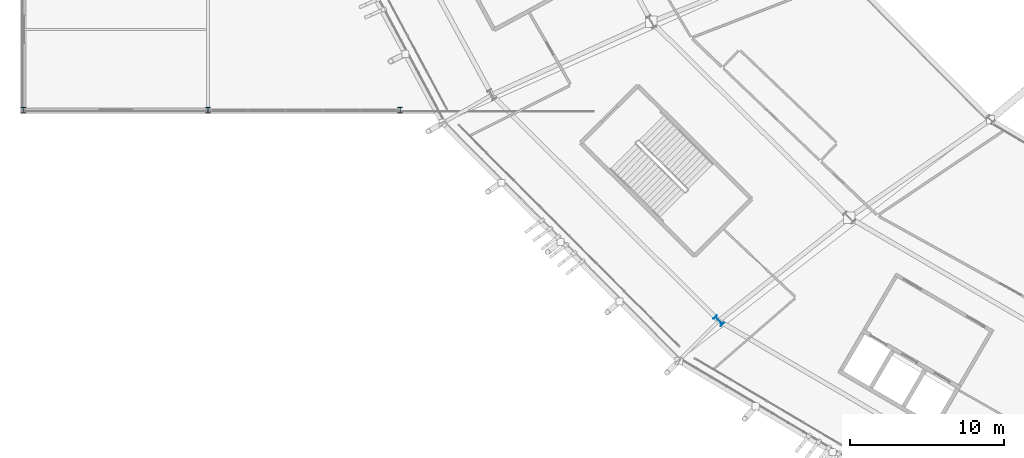
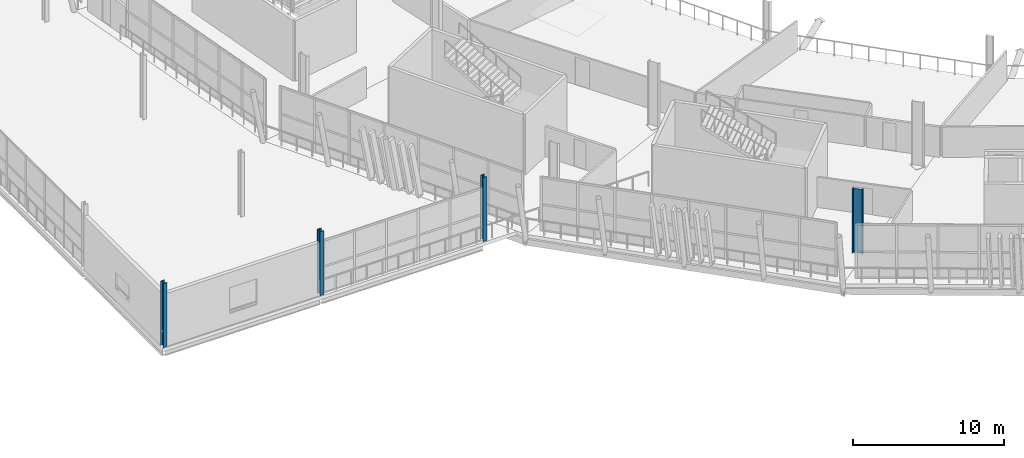
# One storey, part 1 of 168: 4 columns.
"""IFC4 building model written with IfcOpenShell, lengths in metres."""

from ifc_helpers import new_model, si_unit, direction, frame, origin, origin_2d, place, context, subcontext, project, spatial, i_section, extrude, material, material_profile, profile_set, type_object, element, save


model = new_model("IFC4")

# Units and contexts
model_context = context("Model", 3, precision=1e-05, world=origin(), true_north=direction((0.0, 1.0)))
body_context = subcontext(model_context, "Body", "Model", "MODEL_VIEW")
ifc_project = project(units=[si_unit("LENGTHUNIT", "METRE"), si_unit("AREAUNIT", "SQUARE_METRE"), si_unit("VOLUMEUNIT", "CUBIC_METRE"), si_unit("PLANEANGLEUNIT", "RADIAN"), si_unit("MASSUNIT", "GRAM", prefix="KILO")], contexts=[model_context])

# Site, building, storey
site_placement = place(None, origin())
site = spatial("IfcSite", under=ifc_project, at=site_placement, CompositionType="ELEMENT")
building_placement = place(site_placement, origin())
building = spatial("IfcBuilding", under=site, at=building_placement, Name="Zlatoyarsky Gate Stadium", CompositionType="ELEMENT")
storey_placement = place(building_placement, frame((0.0, 0.0, 15.60009765625)))
storey = spatial("IfcBuildingStorey", under=building, at=storey_placement, Name="L03", CompositionType="ELEMENT", Elevation=15.60009765625)

# Columns
ifc_material = material(Name="Steel S355", Category="steel")
ifc_material_profile_1 = material_profile(ifc_material, i_section(OverallWidth=0.300048828125, OverallDepth=0.360107421875, WebThickness=0.012451171875, FlangeThickness=0.0224609375, FilletRadius=0.027099609375, at=origin_2d()), Name="HEB 360")
ifc_profile_set_1 = profile_set([ifc_material_profile_1], Name="Steel S355")
column_type_1 = type_object("IfcColumnType", Name="STEEL COLUMN HEB 360", PredefinedType="COLUMN", material=ifc_profile_set_1)
for number, where, z_axis, x_axis, name in (
    (1, (0.0, 43.5, 0.0), (0.0, 0.0, 1.0), (1.0, 0.0, 0.0), "Column ST-C360 WG-1-E on L03"),
    (2, (12.0, 43.5, 0.0), (0.0, 0.0, 1.0), (1.0, 0.0, 0.0), "Column ST-C360 WG-2-E on L03"),
    (3, (24.5, 43.5, 0.0), (0.0, 0.0, 1.0), (1.0, 0.0, 0.0), "Column ST-C360 WG-3-E on L03"),
):
    element("IfcColumn", number, at=place(storey_placement, frame(where, z_axis=z_axis, x_axis=x_axis)), inside=storey, type_object=column_type_1, Name=name, PredefinedType="COLUMN", context=body_context, shape_type="SweptSolid", body=[
        extrude(i_section(OverallWidth=0.300048828125, OverallDepth=0.360107421875, WebThickness=0.012451171875, FlangeThickness=0.0224609375, FilletRadius=0.027099609375, at=origin_2d()), origin(), (0.0, 0.0, 1.0), 5.199951171875),
    ])
ifc_material_profile_2 = material_profile(ifc_material, i_section(OverallWidth=0.300048828125, OverallDepth=0.699951171875, WebThickness=0.01708984375, FlangeThickness=0.031982421875, FilletRadius=0.027099609375, at=origin_2d()), Name="HEB 700")
ifc_profile_set_2 = profile_set([ifc_material_profile_2], Name="Steel S355")
column_type_2 = type_object("IfcColumnType", Name="STEEL COLUMN HEB 700", PredefinedType="COLUMN", material=ifc_profile_set_2)
column_placement = place(storey_placement, frame((45.239013671875, 29.79541015625, 0.0), z_axis=(0.0, 0.0, 1.0), x_axis=(-0.707106781187, -0.707106781187, 0.0)))
element("IfcColumn", 4, at=column_placement, inside=storey, type_object=column_type_2, Name="Column ST-C700 RC-15 on L03", PredefinedType="COLUMN", context=body_context, shape_type="SweptSolid", body=[
    extrude(i_section(OverallWidth=0.300048828125, OverallDepth=0.699951171875, WebThickness=0.01708984375, FlangeThickness=0.031982421875, FilletRadius=0.027099609375, at=origin_2d()), origin(), (0.0, 0.0, 1.0), 5.199951171875),
])

save(model, "model.ifc")
